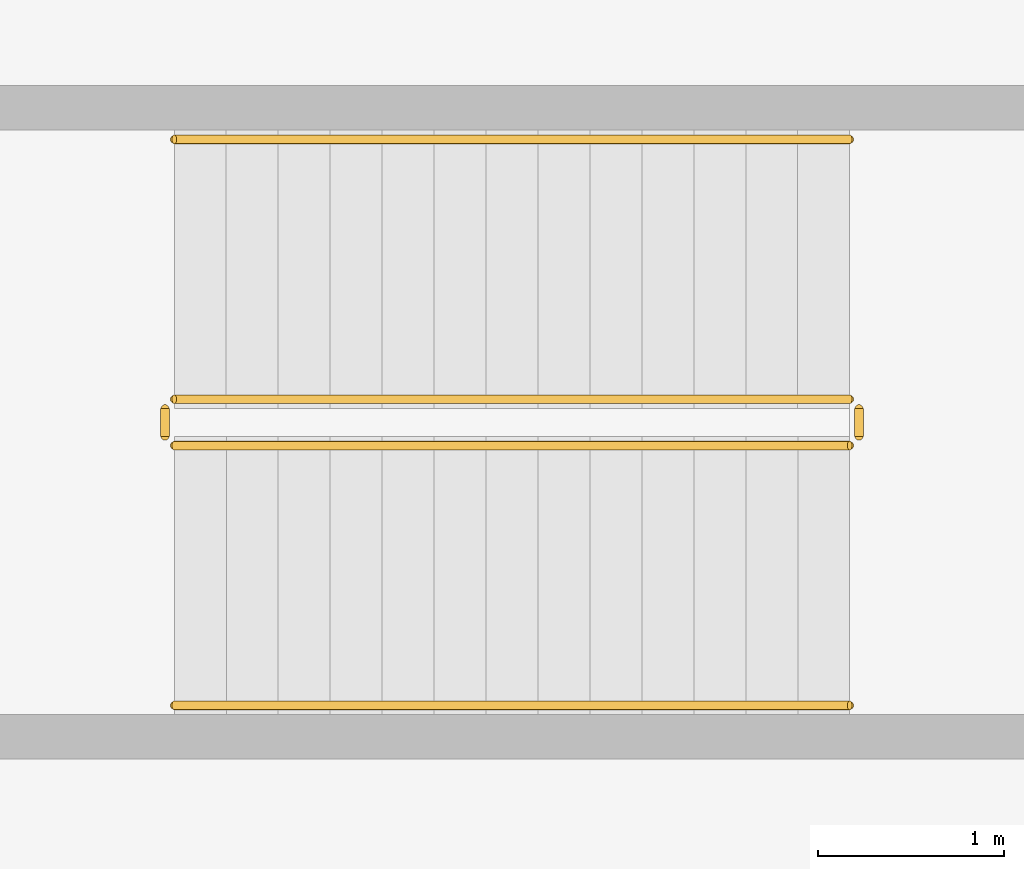
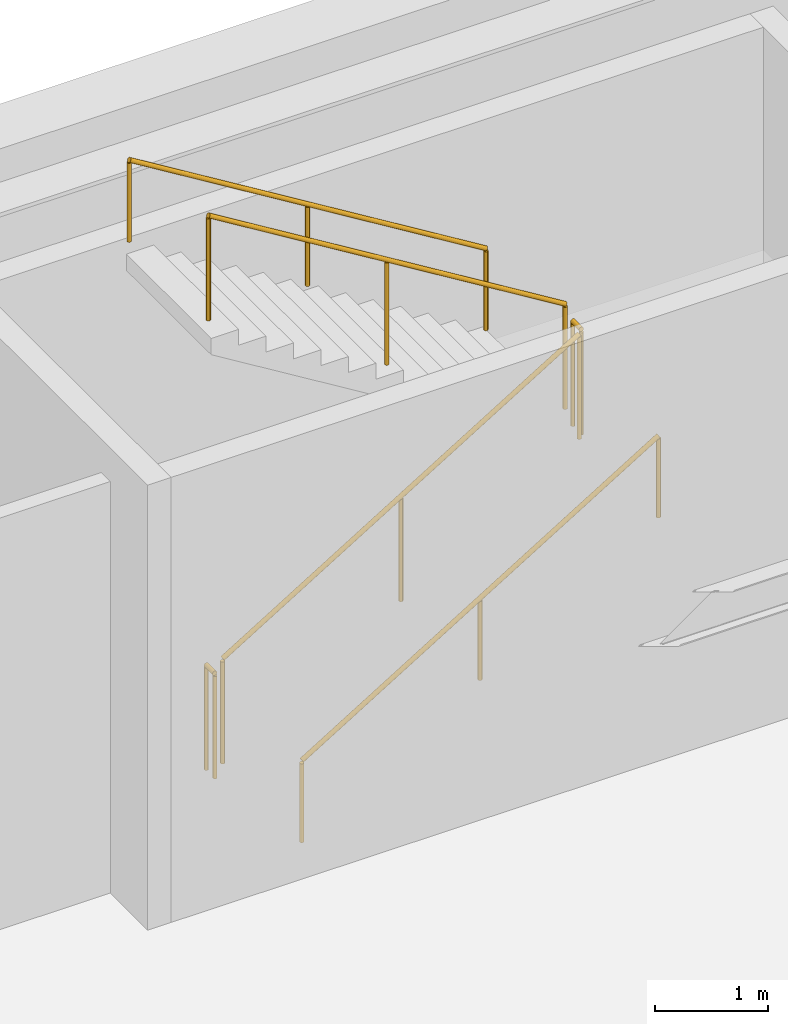
# One storey, part 24 of 25: 6 railings.
"""IFC4 building model written with IfcOpenShell, lengths in metres."""

from ifc_helpers import new_model, si_unit, direction, frame, origin, origin_2d, place, context, subcontext, project, spatial, circle, extrude, material, type_object, element, save


model = new_model("IFC4")

# Units and contexts
model_context = context("Model", 3, precision=1e-05, world=origin(), true_north=direction((0.0, 1.0)))
body_context = subcontext(model_context, "Body", "Model", "MODEL_VIEW")
ifc_project = project(units=[si_unit("LENGTHUNIT", "METRE"), si_unit("AREAUNIT", "SQUARE_METRE"), si_unit("VOLUMEUNIT", "CUBIC_METRE"), si_unit("PLANEANGLEUNIT", "RADIAN"), si_unit("MASSUNIT", "GRAM", prefix="KILO")], contexts=[model_context])

# Site, building, storey
site_placement = place(None, origin())
site = spatial("IfcSite", under=ifc_project, at=site_placement, CompositionType="ELEMENT")
building_placement = place(site_placement, origin())
building = spatial("IfcBuilding", under=site, at=building_placement, Name="Soratama Intermodal Tower", CompositionType="ELEMENT")
storey_placement = place(building_placement, frame((0.0, 0.0, -10.199951171875)))
storey = spatial("IfcBuildingStorey", under=building, at=storey_placement, Name="B2", CompositionType="ELEMENT", Elevation=-10.199951171875)

# Railings
ifc_material_1 = material(Name="Painted steel stair guardrail", Category="steel")
railing_type_1 = type_object("IfcRailingType", Name="RL-STAIR-GUARD", PredefinedType="GUARDRAIL", material=ifc_material_1)
railing_1_placement = place(storey_placement, frame((74.5, 43.949951171875, 0.17138671875)))
element("IfcRailing", 1, at=railing_1_placement, inside=storey, type_object=railing_type_1, Name="B2 ST-4 stair guard 1", PredefinedType="GUARDRAIL", context=body_context, shape_type="SweptSolid", body=[
    extrude(circle(Radius=0.02392578125, at=origin_2d()), frame((0.0, 0.0, 1.1259765625), z_axis=(0.852850264322, 0.0, 0.5221555579), x_axis=(0.0, 1.0, 0.0)), (0.0, 0.0, 1.0), 4.267822265625),
    extrude(circle(Radius=0.02099609375, at=origin_2d()), origin(), (0.0, 0.0, 1.0), 1.101806640625),
    extrude(circle(Radius=0.02099609375, at=origin_2d()), frame((1.81982421875, 0.0, 1.1142578125)), (0.0, 0.0, 1.0), 1.101806640625),
    extrude(circle(Radius=0.02099609375, at=origin_2d()), frame((3.639892578125, 0.0, 2.228515625)), (0.0, 0.0, 1.0), 1.101806640625),
])
railing_2_placement = place(storey_placement, frame((78.18994140625, 44.0, 2.39990234375)))
element("IfcRailing", 2, at=railing_2_placement, inside=storey, type_object=railing_type_1, Name="B2 ST-4 stair guard 2", PredefinedType="GUARDRAIL", context=body_context, shape_type="SweptSolid", body=[
    extrude(circle(Radius=0.02392578125, at=origin_2d()), frame((0.0, 0.0, 1.1259765625), z_axis=(0.0, 1.0, 0.0), x_axis=(-1.0, 0.0, 0.0)), (0.0, 0.0, 1.0), 0.14990234375),
    extrude(circle(Radius=0.02099609375, at=origin_2d()), origin(), (0.0, 0.0, 1.0), 1.101806640625),
    extrude(circle(Radius=0.02099609375, at=origin_2d()), frame((0.0, 0.14990234375, 0.0)), (0.0, 0.0, 1.0), 1.101806640625),
])
railing_3_placement = place(storey_placement, frame((78.139892578125, 44.199951171875, 2.5712890625)))
element("IfcRailing", 3, at=railing_3_placement, inside=storey, type_object=railing_type_1, Name="B2 ST-4 stair guard 3", PredefinedType="GUARDRAIL", context=body_context, shape_type="SweptSolid", body=[
    extrude(circle(Radius=0.02392578125, at=origin_2d()), frame((0.0, 0.0, 1.1259765625), z_axis=(-0.852824790078, 0.0, 0.522197163366), x_axis=(0.0, -1.0, 0.0)), (0.0, 0.0, 1.0), 4.26806640625),
    extrude(circle(Radius=0.02099609375, at=origin_2d()), origin(), (0.0, 0.0, 1.0), 1.101806640625),
    extrude(circle(Radius=0.02099609375, at=origin_2d()), frame((-1.81982421875, 0.0, 1.1142578125)), (0.0, 0.0, 1.0), 1.101806640625),
    extrude(circle(Radius=0.02099609375, at=origin_2d()), frame((-3.639892578125, 0.0, 2.228759765625)), (0.0, 0.0, 1.0), 1.101806640625),
])
railing_4_placement = place(storey_placement, frame((74.449951171875, 44.0, 0.0)))
element("IfcRailing", 4, at=railing_4_placement, inside=storey, type_object=railing_type_1, Name="B2 ST-4 stair guard 4", PredefinedType="GUARDRAIL", context=body_context, shape_type="SweptSolid", body=[
    extrude(circle(Radius=0.02392578125, at=origin_2d()), frame((0.0, 0.0, 1.1259765625), z_axis=(0.0, 1.0, 0.0), x_axis=(-1.0, 0.0, 0.0)), (0.0, 0.0, 1.0), 0.14990234375),
    extrude(circle(Radius=0.02099609375, at=origin_2d()), origin(), (0.0, 0.0, 1.0), 1.101806640625),
    extrude(circle(Radius=0.02099609375, at=origin_2d()), frame((0.0, 0.14990234375, 0.0)), (0.0, 0.0, 1.0), 1.101806640625),
])
ifc_material_2 = material(Name="Brushed stainless steel handrail", Category="steel")
railing_type_2 = type_object("IfcRailingType", Name="RL-STAIR-HAND", PredefinedType="HANDRAIL", material=ifc_material_2)
railing_5_placement = place(storey_placement, frame((74.5, 42.550048828125, 0.17138671875)))
element("IfcRailing", 5, at=railing_5_placement, inside=storey, type_object=railing_type_2, Name="B2 ST-4 stair handrail 1", PredefinedType="HANDRAIL", context=body_context, shape_type="SweptSolid", body=[
    extrude(circle(Radius=0.02392578125, at=origin_2d()), frame((0.0, 0.0, 0.8759765625), z_axis=(0.852850264322, 0.0, 0.5221555579), x_axis=(0.0, 1.0, 0.0)), (0.0, 0.0, 1.0), 4.267822265625),
    extrude(circle(Radius=0.02099609375, at=origin_2d()), origin(), (0.0, 0.0, 1.0), 0.851806640625),
    extrude(circle(Radius=0.02099609375, at=origin_2d()), frame((1.81982421875, 0.0, 1.1142578125)), (0.0, 0.0, 1.0), 0.851806640625),
    extrude(circle(Radius=0.02099609375, at=origin_2d()), frame((3.639892578125, 0.0, 2.228515625)), (0.0, 0.0, 1.0), 0.851806640625),
])
railing_6_placement = place(storey_placement, frame((78.139892578125, 45.60009765625, 2.5712890625)))
element("IfcRailing", 6, at=railing_6_placement, inside=storey, type_object=railing_type_2, Name="B2 ST-4 stair handrail 2", PredefinedType="HANDRAIL", context=body_context, shape_type="SweptSolid", body=[
    extrude(circle(Radius=0.02392578125, at=origin_2d()), frame((0.0, 0.0, 0.8759765625), z_axis=(-0.852824790078, 0.0, 0.522197163366), x_axis=(0.0, -1.0, 0.0)), (0.0, 0.0, 1.0), 4.26806640625),
    extrude(circle(Radius=0.02099609375, at=origin_2d()), origin(), (0.0, 0.0, 1.0), 0.851806640625),
    extrude(circle(Radius=0.02099609375, at=origin_2d()), frame((-1.81982421875, 0.0, 1.1142578125)), (0.0, 0.0, 1.0), 0.851806640625),
    extrude(circle(Radius=0.02099609375, at=origin_2d()), frame((-3.639892578125, 0.0, 2.228759765625)), (0.0, 0.0, 1.0), 0.851806640625),
])

save(model, "model.ifc")
